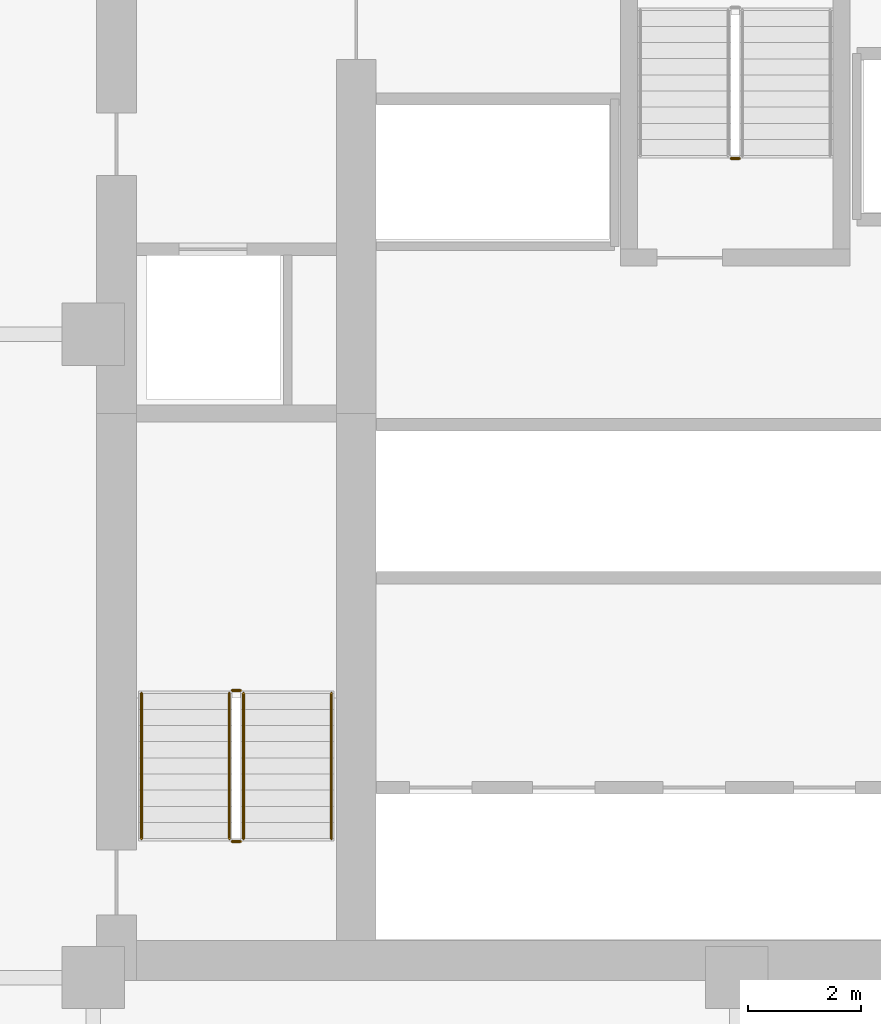
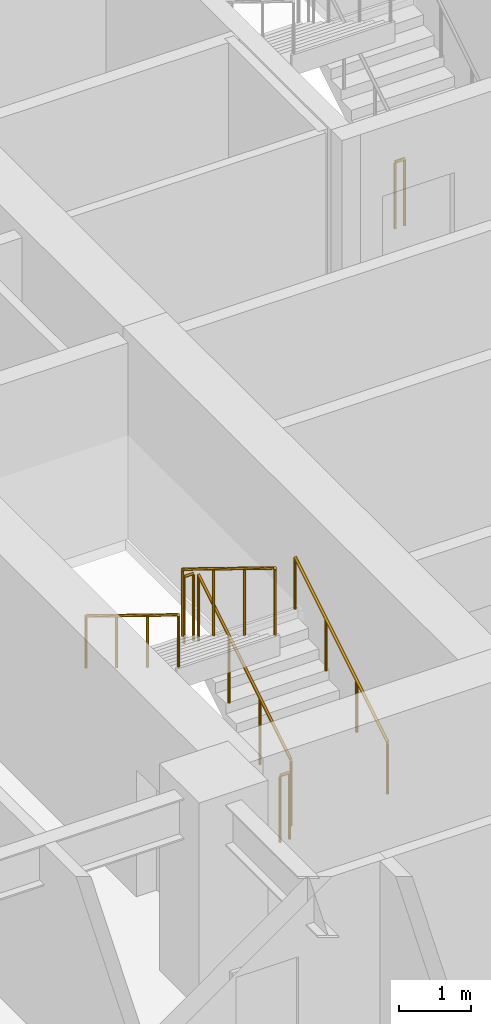
# One storey, part 8 of 9: 7 railings.
"""IFC4 building model written with IfcOpenShell, lengths in metres."""

from ifc_helpers import new_model, si_unit, direction, frame, origin, origin_2d, place, context, subcontext, project, spatial, circle, extrude, material, type_object, element, save


model = new_model("IFC4")

# Units and contexts
model_context = context("Model", 3, precision=1e-05, world=origin(), true_north=direction((0.0, 1.0)))
body_context = subcontext(model_context, "Body", "Model", "MODEL_VIEW")
ifc_project = project(units=[si_unit("LENGTHUNIT", "METRE"), si_unit("AREAUNIT", "SQUARE_METRE"), si_unit("VOLUMEUNIT", "CUBIC_METRE"), si_unit("PLANEANGLEUNIT", "RADIAN"), si_unit("MASSUNIT", "GRAM", prefix="KILO")], contexts=[model_context])

# Site, building, storey
site_placement = place(None, origin())
site = spatial("IfcSite", under=ifc_project, at=site_placement, CompositionType="ELEMENT")
building_placement = place(site_placement, origin())
building = spatial("IfcBuilding", under=site, at=building_placement, Name="Nhamokura Convention Tower", CompositionType="ELEMENT")
storey_placement = place(building_placement, frame((0.0, 0.0, 66.85009765625)))
storey = spatial("IfcBuildingStorey", under=building, at=storey_placement, Name="L15", CompositionType="ELEMENT", Elevation=66.85009765625)

# Railings
ifc_material_1 = material(Name="Anodised bronze stainless steel", Category="steel")
railing_type_1 = type_object("IfcRailingType", Name="StairWallHandrail_900", PredefinedType="HANDRAIL", material=ifc_material_1)
railing_1_placement = place(storey_placement, frame((24.85009765625, 23.10009765625, 0.1748046875)))
element("IfcRailing", 1, at=railing_1_placement, inside=storey, type_object=railing_type_1, Name="L15 ST-01 stair handrail 1", PredefinedType="HANDRAIL", context=body_context, shape_type="SweptSolid", body=[
    extrude(circle(Radius=0.02392578125, at=origin_2d()), frame((0.0, 0.0, 0.8759765625), z_axis=(0.0, 0.85213695991, 0.523318833556), x_axis=(-1.0, 0.0, 0.0)), (0.0, 0.0, 1.0), 3.010009765625),
    extrude(circle(Radius=0.02099609375, at=origin_2d()), origin(), (0.0, 0.0, 1.0), 0.851806640625),
    extrude(circle(Radius=0.02099609375, at=origin_2d()), frame((0.0, 0.85498046875, 0.525146484375)), (0.0, 0.0, 1.0), 0.851806640625),
    extrude(circle(Radius=0.02099609375, at=origin_2d()), frame((0.0, 1.7099609375, 1.050048828125)), (0.0, 0.0, 1.0), 0.851806640625),
    extrude(circle(Radius=0.02099609375, at=origin_2d()), frame((0.0, 2.56494140625, 1.5751953125)), (0.0, 0.0, 1.0), 0.851806640625),
])
railing_2_placement = place(storey_placement, frame((21.5, 25.6650390625, 1.9248046875)))
element("IfcRailing", 2, at=railing_2_placement, inside=storey, type_object=railing_type_1, Name="L15 ST-01 stair handrail 2", PredefinedType="HANDRAIL", context=body_context, shape_type="SweptSolid", body=[
    extrude(circle(Radius=0.02392578125, at=origin_2d()), frame((0.0, 0.0, 0.8759765625), z_axis=(0.0, -0.85213695991, 0.523318833556), x_axis=(1.0, 0.0, 0.0)), (0.0, 0.0, 1.0), 3.010009765625),
    extrude(circle(Radius=0.02099609375, at=origin_2d()), origin(), (0.0, 0.0, 1.0), 0.851806640625),
    extrude(circle(Radius=0.02099609375, at=origin_2d()), frame((0.0, -0.85498046875, 0.525146484375)), (0.0, 0.0, 1.0), 0.851806640625),
    extrude(circle(Radius=0.02099609375, at=origin_2d()), frame((0.0, -1.7099609375, 1.050048828125)), (0.0, 0.0, 1.0), 0.851806640625),
    extrude(circle(Radius=0.02099609375, at=origin_2d()), frame((0.0, -2.56494140625, 1.5751953125)), (0.0, 0.0, 1.0), 0.851806640625),
])
ifc_material_2 = material(Name="Painted tubular steel", Category="steel")
railing_type_2 = type_object("IfcRailingType", Name="StairWellGuardrail_1150", PredefinedType="GUARDRAIL", material=ifc_material_2)
railing_3_placement = place(storey_placement, frame((23.300048828125, 23.10009765625, 0.1748046875)))
element("IfcRailing", 3, at=railing_3_placement, inside=storey, type_object=railing_type_2, Name="L15 ST-01 stair guard 1", PredefinedType="GUARDRAIL", context=body_context, shape_type="SweptSolid", body=[
    extrude(circle(Radius=0.02392578125, at=origin_2d()), frame((0.0, 0.0, 1.1259765625), z_axis=(0.0, 0.85213695991, 0.523318833556), x_axis=(-1.0, 0.0, 0.0)), (0.0, 0.0, 1.0), 3.010009765625),
    extrude(circle(Radius=0.02099609375, at=origin_2d()), origin(), (0.0, 0.0, 1.0), 1.101806640625),
    extrude(circle(Radius=0.02099609375, at=origin_2d()), frame((0.0, 0.85498046875, 0.525146484375)), (0.0, 0.0, 1.0), 1.101806640625),
    extrude(circle(Radius=0.02099609375, at=origin_2d()), frame((0.0, 1.7099609375, 1.050048828125)), (0.0, 0.0, 1.0), 1.101806640625),
    extrude(circle(Radius=0.02099609375, at=origin_2d()), frame((0.0, 2.56494140625, 1.5751953125)), (0.0, 0.0, 1.0), 1.101806640625),
])
railing_4_placement = place(storey_placement, frame((23.25, 25.715087890625, 1.75)))
element("IfcRailing", 4, at=railing_4_placement, inside=storey, type_object=railing_type_2, Name="L15 ST-01 stair guard 2", PredefinedType="GUARDRAIL", context=body_context, shape_type="SweptSolid", body=[
    extrude(circle(Radius=0.02392578125, at=origin_2d()), frame((0.0, 0.0, 1.1259765625), z_axis=(-1.0, 0.0, 0.0), x_axis=(0.0, -1.0, 0.0)), (0.0, 0.0, 1.0), 0.14990234375),
    extrude(circle(Radius=0.02099609375, at=origin_2d()), origin(), (0.0, 0.0, 1.0), 1.101806640625),
    extrude(circle(Radius=0.02099609375, at=origin_2d()), frame((-0.14990234375, 0.0, 0.0)), (0.0, 0.0, 1.0), 1.101806640625),
])
railing_5_placement = place(storey_placement, frame((23.050048828125, 25.6650390625, 1.9248046875)))
element("IfcRailing", 5, at=railing_5_placement, inside=storey, type_object=railing_type_2, Name="L15 ST-01 stair guard 3", PredefinedType="GUARDRAIL", context=body_context, shape_type="SweptSolid", body=[
    extrude(circle(Radius=0.02392578125, at=origin_2d()), frame((0.0, 0.0, 1.1259765625), z_axis=(0.0, -0.85213695991, 0.523318833556), x_axis=(1.0, 0.0, 0.0)), (0.0, 0.0, 1.0), 3.010009765625),
    extrude(circle(Radius=0.02099609375, at=origin_2d()), origin(), (0.0, 0.0, 1.0), 1.101806640625),
    extrude(circle(Radius=0.02099609375, at=origin_2d()), frame((0.0, -0.85498046875, 0.525146484375)), (0.0, 0.0, 1.0), 1.101806640625),
    extrude(circle(Radius=0.02099609375, at=origin_2d()), frame((0.0, -1.7099609375, 1.050048828125)), (0.0, 0.0, 1.0), 1.101806640625),
    extrude(circle(Radius=0.02099609375, at=origin_2d()), frame((0.0, -2.56494140625, 1.5751953125)), (0.0, 0.0, 1.0), 1.101806640625),
])
railing_6_placement = place(storey_placement, frame((23.25, 23.050048828125, 0.0)))
element("IfcRailing", 6, at=railing_6_placement, inside=storey, type_object=railing_type_2, Name="L15 ST-01 stair guard 4", PredefinedType="GUARDRAIL", context=body_context, shape_type="SweptSolid", body=[
    extrude(circle(Radius=0.02392578125, at=origin_2d()), frame((0.0, 0.0, 1.1259765625), z_axis=(-1.0, 0.0, 0.0), x_axis=(0.0, -1.0, 0.0)), (0.0, 0.0, 1.0), 0.14990234375),
    extrude(circle(Radius=0.02099609375, at=origin_2d()), origin(), (0.0, 0.0, 1.0), 1.101806640625),
    extrude(circle(Radius=0.02099609375, at=origin_2d()), frame((-0.14990234375, 0.0, 0.0)), (0.0, 0.0, 1.0), 1.101806640625),
])
railing_7_placement = place(storey_placement, frame((32.050048828125, 35.10009765625, 0.0)))
element("IfcRailing", 7, at=railing_7_placement, inside=storey, type_object=railing_type_2, Name="L15 ST-03 stair guard 4", PredefinedType="GUARDRAIL", context=body_context, shape_type="SweptSolid", body=[
    extrude(circle(Radius=0.02392578125, at=origin_2d()), frame((0.0, 0.0, 1.1259765625), z_axis=(-1.0, 0.0, 0.0), x_axis=(0.0, -1.0, 0.0)), (0.0, 0.0, 1.0), 0.150146484375),
    extrude(circle(Radius=0.02099609375, at=origin_2d()), origin(), (0.0, 0.0, 1.0), 1.101806640625),
    extrude(circle(Radius=0.02099609375, at=origin_2d()), frame((-0.150146484375, 0.0, 0.0)), (0.0, 0.0, 1.0), 1.101806640625),
])

save(model, "model.ifc")
